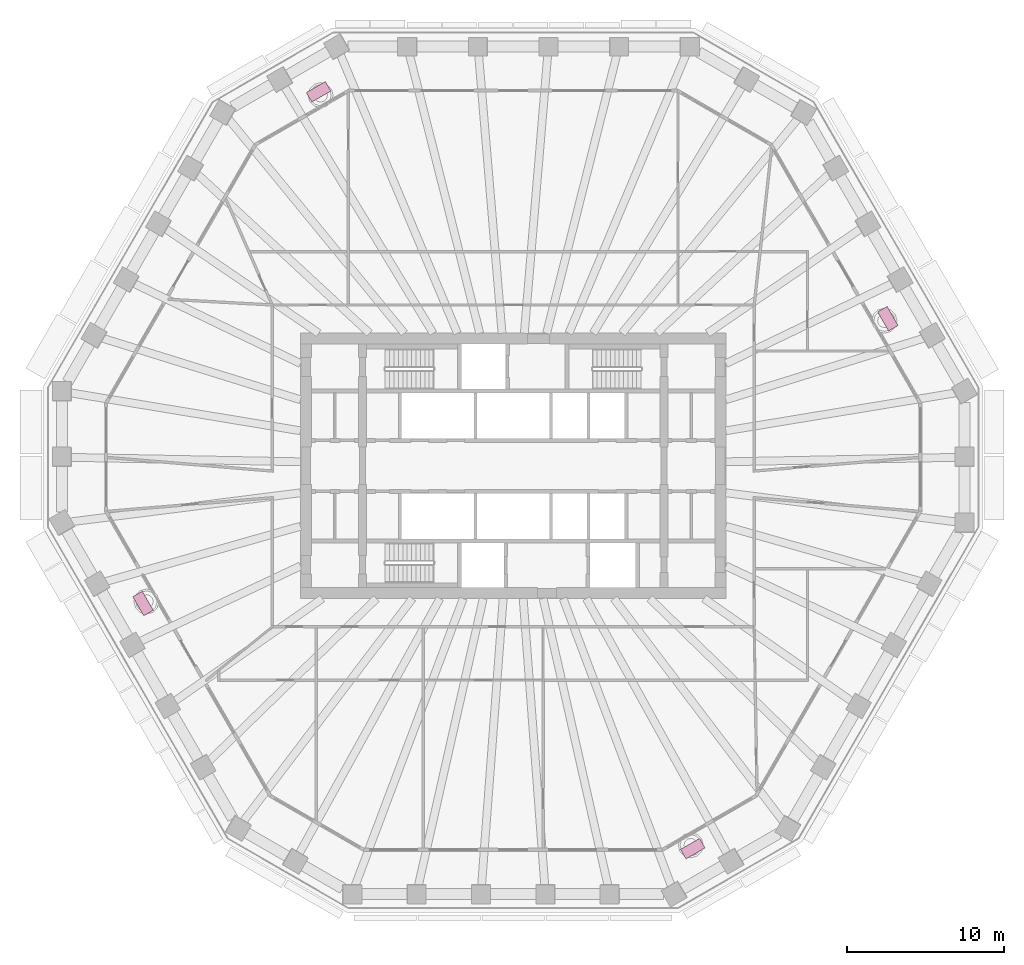
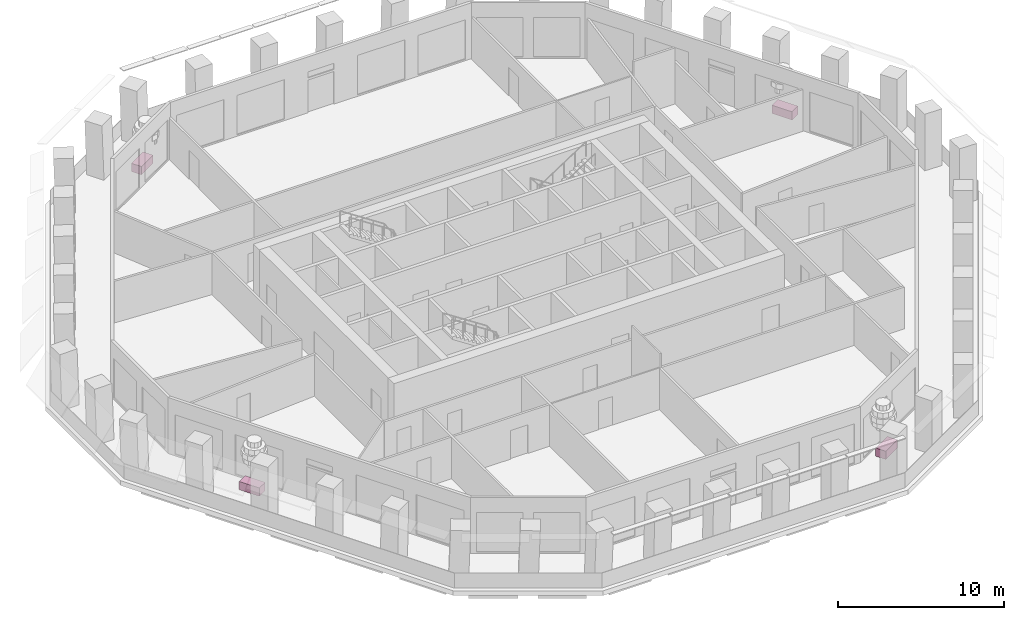
# One storey, part 11 of 12: 4 furniture elements.
"""IFC4 building model written with IfcOpenShell, lengths in metres."""

from ifc_helpers import new_model, si_unit, direction, frame, origin, origin_2d, place, context, subcontext, project, spatial, rectangle, extrude, material, type_object, element, save


model = new_model("IFC4")

# Units and contexts
model_context = context("Model", 3, precision=1e-05, world=origin(), true_north=direction((0.0, 1.0)))
body_context = subcontext(model_context, "Body", "Model", "MODEL_VIEW")
ifc_project = project(units=[si_unit("LENGTHUNIT", "METRE"), si_unit("AREAUNIT", "SQUARE_METRE"), si_unit("VOLUMEUNIT", "CUBIC_METRE"), si_unit("PLANEANGLEUNIT", "RADIAN"), si_unit("MASSUNIT", "GRAM", prefix="KILO")], contexts=[model_context])

# Site, building, storey
site_placement = place(None, origin())
site = spatial("IfcSite", under=ifc_project, at=site_placement, CompositionType="ELEMENT")
building_placement = place(site_placement, origin())
building = spatial("IfcBuilding", under=site, at=building_placement, Name="Frailejon Research Tower", CompositionType="ELEMENT")
storey_placement = place(building_placement, frame((0.0, 0.0, 162.800048828125)))
storey = spatial("IfcBuildingStorey", under=building, at=storey_placement, Name="L35", CompositionType="ELEMENT", Elevation=162.800048828125)

# Furniture
ifc_material = material(Name="Precast concrete C30/37 planter, terracotta", Category="masonry")
furniture_type = type_object("IfcFurnitureType", Name="Loggia planter 1400x700", AssemblyPlace="NOTDEFINED", PredefinedType="USERDEFINED", material=ifc_material)
for number, where, z_axis, x_axis, name in (
    (1, (23.86376953125, 9.372802734375, 0.0), (0.0, 0.0, 1.0), (-0.5, 0.866025403784, 0.0), "Planter L35"),
    (2, (-12.39501953125, 23.826904296875, 0.0), (0.0, 0.0, 1.0), (-0.866025403784, -0.5, 0.0), "Planter L35"),
    (3, (-23.576416015625, -8.764404296875, 0.0), (0.0, 0.0, 1.0), (0.5, -0.866025403784, 0.0), "Planter L35"),
    (4, (11.43701171875, -24.3798828125, 0.0), (0.0, 0.0, 1.0), (0.866025403784, 0.5, 0.0), "Planter L35"),
):
    element("IfcFurniture", number, at=place(storey_placement, frame(where, z_axis=z_axis, x_axis=x_axis)), inside=storey, type_object=furniture_type, Name=name, ObjectType="PLANTER", PredefinedType="USERDEFINED", context=body_context, shape_type="SweptSolid", body=[
        extrude(rectangle(XDim=1.39990234375, YDim=0.699951171875, at=origin_2d()), origin(), (0.0, 0.0, 1.0), 0.60009765625),
    ])

save(model, "model.ifc")
